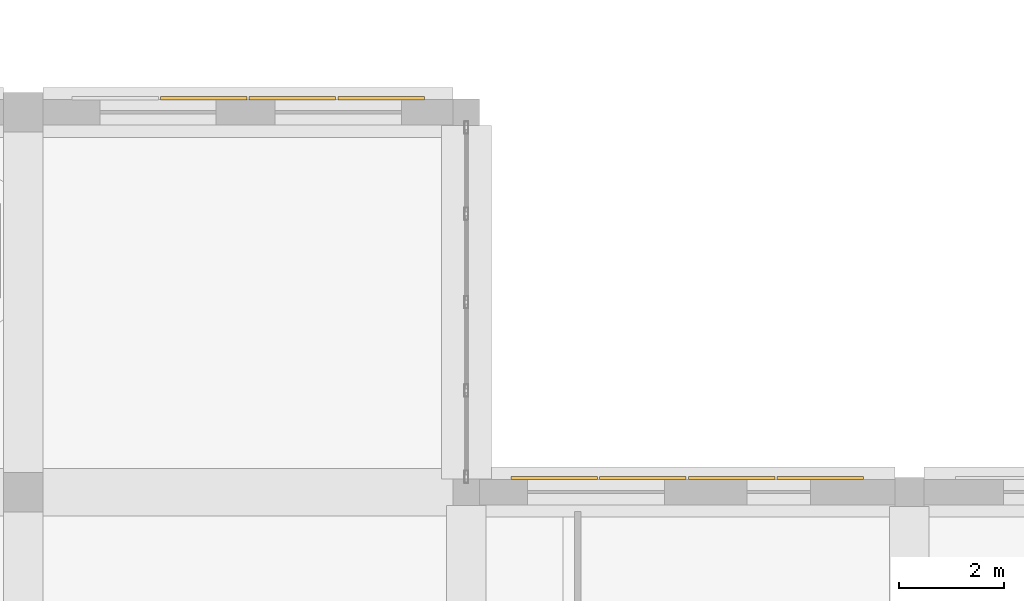
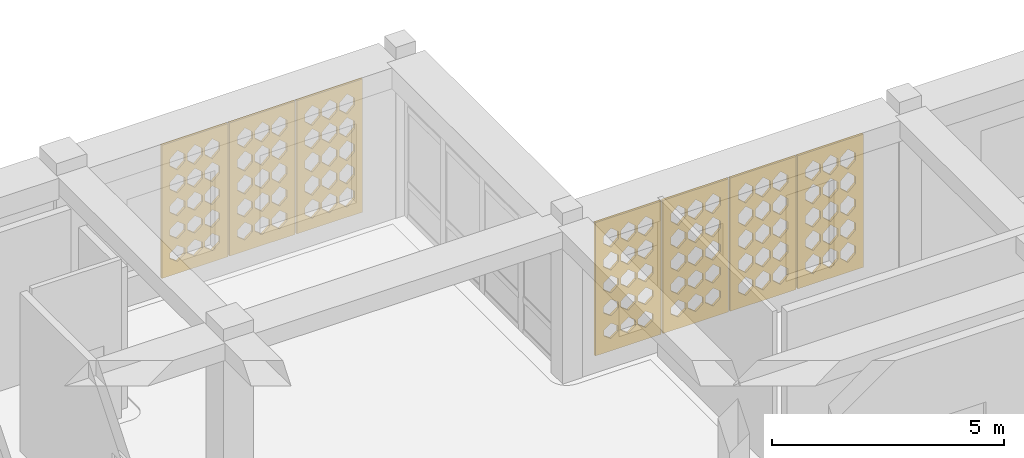
# One storey, part 118 of 121: 7 coverings.
"""IFC4 building model written with IfcOpenShell, lengths in metres."""

from ifc_helpers import new_model, si_unit, derived_unit, direction, frame, origin, place, context, subcontext, project, spatial, polyline, outline, extrude, material, layer, layer_set, type_object, element, save


model = new_model("IFC4")

# Units and contexts
model_context = context("Model", 3, precision=1e-05, world=origin(), true_north=direction((0.0, 1.0)))
body_context = subcontext(model_context, "Body", "Model", "MODEL_VIEW")
ifc_project = project(units=[si_unit("LENGTHUNIT", "METRE"), si_unit("AREAUNIT", "SQUARE_METRE"), si_unit("VOLUMEUNIT", "CUBIC_METRE"), si_unit("PLANEANGLEUNIT", "RADIAN"), si_unit("MASSUNIT", "GRAM", prefix="KILO"), derived_unit("THERMALTRANSMITTANCEUNIT", [(si_unit("POWERUNIT", "WATT"), 1), (si_unit("LENGTHUNIT", "METRE"), -2), (si_unit("THERMODYNAMICTEMPERATUREUNIT", "KELVIN"), -1)])], contexts=[model_context])

# Site, building, storey
site_placement = place(None, origin())
site = spatial("IfcSite", under=ifc_project, at=site_placement, CompositionType="ELEMENT")
building_placement = place(site_placement, origin())
building = spatial("IfcBuilding", under=site, at=building_placement, Name="Veybourne Emporium", CompositionType="ELEMENT")
storey_placement = place(building_placement, frame((0.0, 0.0, 5.39990234375)))
storey = spatial("IfcBuildingStorey", under=building, at=storey_placement, Name="L01", CompositionType="ELEMENT", Elevation=5.39990234375)

# Coverings
ifc_material = material(Name="Warm-White Perforated Aluminium Screen Alloy", Category="aluminium")
ifc_layer_1 = layer(ifc_material, 0.06005859375)
ifc_layer_set_1 = layer_set([ifc_layer_1], Name="Warm-White Perforated Aluminium Screen Alloy")
covering_type_1 = type_object("IfcCoveringType", Name="WaveScreen_SCR-01", PredefinedType="CLADDING", material=ifc_layer_set_1)
covering_1_placement = place(storey_placement, frame((141.1826171875, 29.09814453125, 1.815185546875), z_axis=(0.0, -1.0, 0.0), x_axis=(1.0, 0.0, 0.0)))
element("IfcCovering", 1, at=covering_1_placement, inside=storey, type_object=covering_type_1, Name="L01 wave-perforated aluminium screen SCR-01 (71.4)", PredefinedType="CLADDING", context=body_context, shape_type="SweptSolid", body=[
    extrude(outline(polyline([(-0.81982421875, -1.7548828125), (0.81982421875, -1.7548828125), (0.81982421875, 1.7548828125), (-0.81982421875, 1.7548828125), (-0.81982421875, -1.7548828125)]), holes=[polyline([(-0.433349609375, -0.974853515625), (-0.2470703125, -1.13671875), (-0.2470703125, -1.319091796875), (-0.433349609375, -1.481201171875), (-0.61962890625, -1.319091796875), (-0.61962890625, -1.13671875), (-0.433349609375, -0.974853515625)]), polyline([(-0.433349609375, -0.35205078125), (-0.2470703125, -0.519775390625), (-0.2470703125, -0.708251953125), (-0.433349609375, -0.8759765625), (-0.61962890625, -0.708251953125), (-0.61962890625, -0.519775390625), (-0.433349609375, -0.35205078125)]), polyline([(-0.433349609375, 0.263916015625), (-0.2470703125, 0.094970703125), (-0.2470703125, -0.094970703125), (-0.433349609375, -0.263916015625), (-0.61962890625, -0.094970703125), (-0.61962890625, 0.094970703125), (-0.433349609375, 0.263916015625)]), polyline([(-0.433349609375, 0.8779296875), (-0.2470703125, 0.708984375), (-0.2470703125, 0.51904296875), (-0.433349609375, 0.35009765625), (-0.61962890625, 0.51904296875), (-0.61962890625, 0.708984375), (-0.433349609375, 0.8779296875)]), polyline([(-0.433349609375, 1.491943359375), (-0.2470703125, 1.322998046875), (-0.2470703125, 1.133056640625), (-0.433349609375, 0.964111328125), (-0.61962890625, 1.133056640625), (-0.61962890625, 1.322998046875), (-0.433349609375, 1.491943359375)]), polyline([(0.0, -0.970703125), (0.186279296875, -1.13525390625), (0.186279296875, -1.32080078125), (0.0, -1.4853515625), (-0.186279296875, -1.32080078125), (-0.186279296875, -1.13525390625), (0.0, -0.970703125)]), polyline([(0.0, -0.35009765625), (0.186279296875, -0.51904296875), (0.186279296875, -0.708984375), (0.0, -0.8779296875), (-0.186279296875, -0.708984375), (-0.186279296875, -0.51904296875), (0.0, -0.35009765625)]), polyline([(0.0, 0.263916015625), (0.186279296875, 0.094970703125), (0.186279296875, -0.094970703125), (0.0, -0.263916015625), (-0.186279296875, -0.094970703125), (-0.186279296875, 0.094970703125), (0.0, 0.263916015625)]), polyline([(0.0, 0.8779296875), (0.186279296875, 0.708984375), (0.186279296875, 0.51904296875), (0.0, 0.35009765625), (-0.186279296875, 0.51904296875), (-0.186279296875, 0.708984375), (0.0, 0.8779296875)]), polyline([(0.0, 1.491943359375), (0.186279296875, 1.322998046875), (0.186279296875, 1.133056640625), (0.0, 0.964111328125), (-0.186279296875, 1.133056640625), (-0.186279296875, 1.322998046875), (0.0, 1.491943359375)]), polyline([(0.433349609375, -0.966796875), (0.61962890625, -1.134033203125), (0.61962890625, -1.322021484375), (0.433349609375, -1.4892578125), (0.2470703125, -1.322021484375), (0.2470703125, -1.134033203125), (0.433349609375, -0.966796875)]), polyline([(0.433349609375, -0.35009765625), (0.61962890625, -0.51904296875), (0.61962890625, -0.708984375), (0.433349609375, -0.8779296875), (0.2470703125, -0.708984375), (0.2470703125, -0.51904296875), (0.433349609375, -0.35009765625)]), polyline([(0.433349609375, 0.263916015625), (0.61962890625, 0.094970703125), (0.61962890625, -0.094970703125), (0.433349609375, -0.263916015625), (0.2470703125, -0.094970703125), (0.2470703125, 0.094970703125), (0.433349609375, 0.263916015625)]), polyline([(0.433349609375, 0.8779296875), (0.61962890625, 0.708984375), (0.61962890625, 0.51904296875), (0.433349609375, 0.35009765625), (0.2470703125, 0.51904296875), (0.2470703125, 0.708984375), (0.433349609375, 0.8779296875)]), polyline([(0.433349609375, 1.491943359375), (0.61962890625, 1.322998046875), (0.61962890625, 1.133056640625), (0.433349609375, 0.964111328125), (0.2470703125, 1.133056640625), (0.2470703125, 1.322998046875), (0.433349609375, 1.491943359375)])]), origin(), (0.0, 0.0, 1.0), 0.06005859375),
])
covering_2_placement = place(storey_placement, frame((144.467529296875, 21.89794921875, 1.815185546875), z_axis=(0.0, -1.0, 0.0), x_axis=(1.0, 0.0, 0.0)))
element("IfcCovering", 2, at=covering_2_placement, inside=storey, type_object=covering_type_1, Name="L01 wave-perforated aluminium screen SCR-01 (74.1)", PredefinedType="CLADDING", context=body_context, shape_type="SweptSolid", body=[
    extrude(outline(polyline([(-0.81982421875, -1.7548828125), (0.81982421875, -1.7548828125), (0.81982421875, 1.7548828125), (-0.81982421875, 1.7548828125), (-0.81982421875, -1.7548828125)]), holes=[polyline([(-0.433349609375, -1.025390625), (-0.257568359375, -1.155029296875), (-0.257568359375, -1.30078125), (-0.433349609375, -1.4306640625), (-0.609130859375, -1.30078125), (-0.609130859375, -1.155029296875), (-0.433349609375, -1.025390625)]), polyline([(-0.433349609375, -0.3974609375), (-0.2470703125, -0.5361328125), (-0.2470703125, -0.69189453125), (-0.433349609375, -0.83056640625), (-0.61962890625, -0.69189453125), (-0.61962890625, -0.5361328125), (-0.433349609375, -0.3974609375)]), polyline([(-0.433349609375, 0.2294921875), (-0.2470703125, 0.082763671875), (-0.2470703125, -0.082763671875), (-0.433349609375, -0.2294921875), (-0.61962890625, -0.082763671875), (-0.61962890625, 0.082763671875), (-0.433349609375, 0.2294921875)]), polyline([(-0.433349609375, 0.855712890625), (-0.2470703125, 0.700927734375), (-0.2470703125, 0.527099609375), (-0.433349609375, 0.372314453125), (-0.61962890625, 0.527099609375), (-0.61962890625, 0.700927734375), (-0.433349609375, 0.855712890625)]), polyline([(-0.433349609375, 1.480224609375), (-0.2470703125, 1.31884765625), (-0.2470703125, 1.13720703125), (-0.433349609375, 0.9755859375), (-0.61962890625, 1.13720703125), (-0.61962890625, 1.31884765625), (-0.433349609375, 1.480224609375)]), polyline([(0.0, -1.01904296875), (0.180908203125, -1.15283203125), (0.180908203125, -1.30322265625), (0.0, -1.43701171875), (-0.180908203125, -1.30322265625), (-0.180908203125, -1.15283203125), (0.0, -1.01904296875)]), polyline([(0.0, -0.3916015625), (0.186279296875, -0.533935546875), (0.186279296875, -0.694091796875), (0.0, -0.83642578125), (-0.186279296875, -0.694091796875), (-0.186279296875, -0.533935546875), (0.0, -0.3916015625)]), polyline([(0.0, 0.235107421875), (0.186279296875, 0.084716796875), (0.186279296875, -0.084716796875), (0.0, -0.235107421875), (-0.186279296875, -0.084716796875), (-0.186279296875, 0.084716796875), (0.0, 0.235107421875)]), polyline([(0.0, 0.860595703125), (0.186279296875, 0.702880859375), (0.186279296875, 0.525146484375), (0.0, 0.3671875), (-0.186279296875, 0.525146484375), (-0.186279296875, 0.702880859375), (0.0, 0.860595703125)]), polyline([(0.0, 1.484619140625), (0.186279296875, 1.3203125), (0.186279296875, 1.135498046875), (0.0, 0.971435546875), (-0.186279296875, 1.135498046875), (-0.186279296875, 1.3203125), (0.0, 1.484619140625)]), polyline([(0.433349609375, -1.0126953125), (0.619384765625, -1.150390625), (0.619384765625, -1.305419921875), (0.433349609375, -1.443115234375), (0.247314453125, -1.305419921875), (0.247314453125, -1.150390625), (0.433349609375, -1.0126953125)]), polyline([(0.433349609375, -0.385498046875), (0.61962890625, -0.53173828125), (0.61962890625, -0.6962890625), (0.433349609375, -0.84228515625), (0.2470703125, -0.6962890625), (0.2470703125, -0.53173828125), (0.433349609375, -0.385498046875)]), polyline([(0.433349609375, 0.240478515625), (0.61962890625, 0.086669921875), (0.61962890625, -0.086669921875), (0.433349609375, -0.240478515625), (0.2470703125, -0.086669921875), (0.2470703125, 0.086669921875), (0.433349609375, 0.240478515625)]), polyline([(0.433349609375, 0.865478515625), (0.61962890625, 0.70458984375), (0.61962890625, 0.5234375), (0.433349609375, 0.362548828125), (0.2470703125, 0.5234375), (0.2470703125, 0.70458984375), (0.433349609375, 0.865478515625)]), polyline([(0.433349609375, 1.48828125), (0.61962890625, 1.32177734375), (0.61962890625, 1.13427734375), (0.433349609375, 0.967529296875), (0.2470703125, 1.13427734375), (0.2470703125, 1.32177734375), (0.433349609375, 1.48828125)])]), origin(), (0.0, 0.0, 1.0), 0.06005859375),
])
ifc_layer_2 = layer(ifc_material, 0.06005859375)
ifc_layer_set_2 = layer_set([ifc_layer_2], Name="Warm-White Perforated Aluminium Screen Alloy")
covering_type_2 = type_object("IfcCoveringType", Name="WaveScreen_SCR-02", PredefinedType="CLADDING", material=ifc_layer_set_2)
covering_3_placement = place(storey_placement, frame((146.1474609375, 21.89794921875, 1.815185546875), z_axis=(0.0, -1.0, 0.0), x_axis=(1.0, 0.0, 0.0)))
element("IfcCovering", 3, at=covering_3_placement, inside=storey, type_object=covering_type_2, Name="L01 wave-perforated aluminium screen SCR-02 (74.2)", PredefinedType="CLADDING", context=body_context, shape_type="SweptSolid", body=[
    extrude(outline(polyline([(-0.81982421875, -1.7548828125), (0.81982421875, -1.7548828125), (0.81982421875, 1.7548828125), (-0.81982421875, 1.7548828125), (-0.81982421875, -1.7548828125)]), holes=[polyline([(-0.433349609375, -1.00146484375), (-0.2470703125, -1.146484375), (-0.2470703125, -1.3095703125), (-0.433349609375, -1.45458984375), (-0.61962890625, -1.3095703125), (-0.61962890625, -1.146484375), (-0.433349609375, -1.00146484375)]), polyline([(-0.433349609375, -0.375), (-0.2470703125, -0.528076171875), (-0.2470703125, -0.699951171875), (-0.433349609375, -0.852783203125), (-0.61962890625, -0.699951171875), (-0.61962890625, -0.528076171875), (-0.433349609375, -0.375)]), polyline([(-0.433349609375, 0.25), (-0.2470703125, 0.090087890625), (-0.2470703125, -0.090087890625), (-0.433349609375, -0.25), (-0.61962890625, -0.090087890625), (-0.61962890625, 0.090087890625), (-0.433349609375, 0.25)]), polyline([(-0.433349609375, 0.873291015625), (-0.2470703125, 0.707275390625), (-0.2470703125, 0.520751953125), (-0.433349609375, 0.354736328125), (-0.61962890625, 0.520751953125), (-0.61962890625, 0.707275390625), (-0.433349609375, 0.873291015625)]), polyline([(-0.433349609375, 1.491943359375), (-0.2470703125, 1.322998046875), (-0.2470703125, 1.133056640625), (-0.433349609375, 0.964111328125), (-0.61962890625, 1.133056640625), (-0.61962890625, 1.322998046875), (-0.433349609375, 1.491943359375)]), polyline([(0.0, -0.99560546875), (0.186279296875, -1.144287109375), (0.186279296875, -1.3115234375), (0.0, -1.460205078125), (-0.186279296875, -1.3115234375), (-0.186279296875, -1.144287109375), (0.0, -0.99560546875)]), polyline([(0.0, -0.369873046875), (0.186279296875, -0.526123046875), (0.186279296875, -0.701904296875), (0.0, -0.858154296875), (-0.186279296875, -0.701904296875), (-0.186279296875, -0.526123046875), (0.0, -0.369873046875)]), polyline([(0.0, 0.25439453125), (0.186279296875, 0.091552734375), (0.186279296875, -0.091552734375), (0.0, -0.25439453125), (-0.186279296875, -0.091552734375), (-0.186279296875, 0.091552734375), (0.0, 0.25439453125)]), polyline([(0.0, 0.876708984375), (0.186279296875, 0.70849609375), (0.186279296875, 0.519287109375), (0.0, 0.351318359375), (-0.186279296875, 0.519287109375), (-0.186279296875, 0.70849609375), (0.0, 0.876708984375)]), polyline([(0.0, 1.491943359375), (0.186279296875, 1.322998046875), (0.186279296875, 1.133056640625), (0.0, 0.964111328125), (-0.186279296875, 1.133056640625), (-0.186279296875, 1.322998046875), (0.0, 1.491943359375)]), polyline([(0.433349609375, -0.990234375), (0.61962890625, -1.142333984375), (0.61962890625, -1.313720703125), (0.433349609375, -1.4658203125), (0.2470703125, -1.313720703125), (0.2470703125, -1.142333984375), (0.433349609375, -0.990234375)]), polyline([(0.433349609375, -0.364990234375), (0.61962890625, -0.5244140625), (0.61962890625, -0.70361328125), (0.433349609375, -0.86279296875), (0.2470703125, -0.70361328125), (0.2470703125, -0.5244140625), (0.433349609375, -0.364990234375)]), polyline([(0.433349609375, 0.25830078125), (0.61962890625, 0.093017578125), (0.61962890625, -0.093017578125), (0.433349609375, -0.25830078125), (0.2470703125, -0.093017578125), (0.2470703125, 0.093017578125), (0.433349609375, 0.25830078125)]), polyline([(0.433349609375, 0.8779296875), (0.61962890625, 0.708984375), (0.61962890625, 0.51904296875), (0.433349609375, 0.35009765625), (0.2470703125, 0.51904296875), (0.2470703125, 0.708984375), (0.433349609375, 0.8779296875)]), polyline([(0.433349609375, 1.491943359375), (0.61962890625, 1.322998046875), (0.61962890625, 1.133056640625), (0.433349609375, 0.964111328125), (0.2470703125, 1.133056640625), (0.2470703125, 1.322998046875), (0.433349609375, 1.491943359375)])]), origin(), (0.0, 0.0, 1.0), 0.06005859375),
])
ifc_layer_3 = layer(ifc_material, 0.06005859375)
ifc_layer_set_3 = layer_set([ifc_layer_3], Name="Warm-White Perforated Aluminium Screen Alloy")
covering_type_3 = type_object("IfcCoveringType", Name="WaveScreen_SCR-03", PredefinedType="CLADDING", material=ifc_layer_set_3)
covering_4_placement = place(storey_placement, frame((137.822509765625, 29.09814453125, 1.815185546875), z_axis=(0.0, -1.0, 0.0), x_axis=(1.0, 0.0, 0.0)))
element("IfcCovering", 4, at=covering_4_placement, inside=storey, type_object=covering_type_3, Name="L01 wave-perforated aluminium screen SCR-03 (71.2)", PredefinedType="CLADDING", context=body_context, shape_type="SweptSolid", body=[
    extrude(outline(polyline([(-0.81982421875, -1.7548828125), (0.81982421875, -1.7548828125), (0.81982421875, 1.7548828125), (-0.81982421875, 1.7548828125), (-0.81982421875, -1.7548828125)]), holes=[polyline([(-0.433349609375, -1.017333984375), (-0.2509765625, -1.152099609375), (-0.2509765625, -1.303955078125), (-0.433349609375, -1.438720703125), (-0.61572265625, -1.303955078125), (-0.61572265625, -1.152099609375), (-0.433349609375, -1.017333984375)]), polyline([(-0.433349609375, -0.389892578125), (-0.2470703125, -0.533203125), (-0.2470703125, -0.694580078125), (-0.433349609375, -0.838134765625), (-0.61962890625, -0.694580078125), (-0.61962890625, -0.533203125), (-0.433349609375, -0.389892578125)]), polyline([(-0.433349609375, 0.23681640625), (-0.2470703125, 0.085205078125), (-0.2470703125, -0.085205078125), (-0.433349609375, -0.23681640625), (-0.61962890625, -0.085205078125), (-0.61962890625, 0.085205078125), (-0.433349609375, 0.23681640625)]), polyline([(-0.433349609375, 0.862060546875), (-0.2470703125, 0.703369140625), (-0.2470703125, 0.524658203125), (-0.433349609375, 0.365966796875), (-0.61962890625, 0.524658203125), (-0.61962890625, 0.703369140625), (-0.433349609375, 0.862060546875)]), polyline([(-0.433349609375, 1.485595703125), (-0.2470703125, 1.32080078125), (-0.2470703125, 1.13525390625), (-0.433349609375, 0.97021484375), (-0.61962890625, 1.13525390625), (-0.61962890625, 1.32080078125), (-0.433349609375, 1.485595703125)]), polyline([(0.0, -1.010986328125), (0.186279296875, -1.14990234375), (0.186279296875, -1.30615234375), (0.0, -1.44482421875), (-0.186279296875, -1.30615234375), (-0.186279296875, -1.14990234375), (0.0, -1.010986328125)]), polyline([(0.0, -0.3837890625), (0.186279296875, -0.53125), (0.186279296875, -0.69677734375), (0.0, -0.843994140625), (-0.186279296875, -0.69677734375), (-0.186279296875, -0.53125), (0.0, -0.3837890625)]), polyline([(0.0, 0.2421875), (0.186279296875, 0.087158203125), (0.186279296875, -0.087158203125), (0.0, -0.2421875), (-0.186279296875, -0.087158203125), (-0.186279296875, 0.087158203125), (0.0, 0.2421875)]), polyline([(0.0, 0.86669921875), (0.186279296875, 0.704833984375), (0.186279296875, 0.523193359375), (0.0, 0.361328125), (-0.186279296875, 0.523193359375), (-0.186279296875, 0.704833984375), (0.0, 0.86669921875)]), polyline([(0.0, 1.489501953125), (0.186279296875, 1.322021484375), (0.186279296875, 1.1337890625), (0.0, 0.966552734375), (-0.186279296875, 1.1337890625), (-0.186279296875, 1.322021484375), (0.0, 1.489501953125)]), polyline([(0.433349609375, -1.0048828125), (0.61962890625, -1.147705078125), (0.61962890625, -1.308349609375), (0.433349609375, -1.450927734375), (0.2470703125, -1.308349609375), (0.2470703125, -1.147705078125), (0.433349609375, -1.0048828125)]), polyline([(0.433349609375, -0.37841796875), (0.61962890625, -0.529296875), (0.61962890625, -0.69873046875), (0.433349609375, -0.849609375), (0.2470703125, -0.69873046875), (0.2470703125, -0.529296875), (0.433349609375, -0.37841796875)]), polyline([(0.433349609375, 0.2470703125), (0.61962890625, 0.0888671875), (0.61962890625, -0.0888671875), (0.433349609375, -0.2470703125), (0.2470703125, -0.0888671875), (0.2470703125, 0.0888671875), (0.433349609375, 0.2470703125)]), polyline([(0.433349609375, 0.870849609375), (0.61962890625, 0.70654296875), (0.61962890625, 0.521484375), (0.433349609375, 0.357177734375), (0.2470703125, 0.521484375), (0.2470703125, 0.70654296875), (0.433349609375, 0.870849609375)]), polyline([(0.433349609375, 1.491943359375), (0.61962890625, 1.322998046875), (0.61962890625, 1.133056640625), (0.433349609375, 0.964111328125), (0.2470703125, 1.133056640625), (0.2470703125, 1.322998046875), (0.433349609375, 1.491943359375)])]), origin(), (0.0, 0.0, 1.0), 0.06005859375),
])
covering_5_placement = place(storey_placement, frame((147.827392578125, 21.89794921875, 1.815185546875), z_axis=(0.0, -1.0, 0.0), x_axis=(1.0, 0.0, 0.0)))
element("IfcCovering", 5, at=covering_5_placement, inside=storey, type_object=covering_type_3, Name="L01 wave-perforated aluminium screen SCR-03 (74.3)", PredefinedType="CLADDING", context=body_context, shape_type="SweptSolid", body=[
    extrude(outline(polyline([(-0.81982421875, -1.7548828125), (0.81982421875, -1.7548828125), (0.81982421875, 1.7548828125), (-0.81982421875, 1.7548828125), (-0.81982421875, -1.7548828125)]), holes=[polyline([(-0.433349609375, -0.980712890625), (-0.2470703125, -1.138916015625), (-0.2470703125, -1.317138671875), (-0.433349609375, -1.475341796875), (-0.61962890625, -1.317138671875), (-0.61962890625, -1.138916015625), (-0.433349609375, -0.980712890625)]), polyline([(-0.433349609375, -0.35693359375), (-0.2470703125, -0.521484375), (-0.2470703125, -0.70654296875), (-0.433349609375, -0.87109375), (-0.61962890625, -0.70654296875), (-0.61962890625, -0.521484375), (-0.433349609375, -0.35693359375)]), polyline([(-0.433349609375, 0.263916015625), (-0.2470703125, 0.094970703125), (-0.2470703125, -0.094970703125), (-0.433349609375, -0.263916015625), (-0.61962890625, -0.094970703125), (-0.61962890625, 0.094970703125), (-0.433349609375, 0.263916015625)]), polyline([(-0.433349609375, 0.8779296875), (-0.2470703125, 0.708984375), (-0.2470703125, 0.51904296875), (-0.433349609375, 0.35009765625), (-0.61962890625, 0.51904296875), (-0.61962890625, 0.708984375), (-0.433349609375, 0.8779296875)]), polyline([(-0.433349609375, 1.491943359375), (-0.2470703125, 1.322998046875), (-0.2470703125, 1.133056640625), (-0.433349609375, 0.964111328125), (-0.61962890625, 1.133056640625), (-0.61962890625, 1.322998046875), (-0.433349609375, 1.491943359375)]), polyline([(0.0, -0.97607421875), (0.186279296875, -1.13720703125), (0.186279296875, -1.318603515625), (0.0, -1.47998046875), (-0.186279296875, -1.318603515625), (-0.186279296875, -1.13720703125), (0.0, -0.97607421875)]), polyline([(0.0, -0.35302734375), (0.186279296875, -0.52001953125), (0.186279296875, -0.7080078125), (0.0, -0.875), (-0.186279296875, -0.7080078125), (-0.186279296875, -0.52001953125), (0.0, -0.35302734375)]), polyline([(0.0, 0.263916015625), (0.186279296875, 0.094970703125), (0.186279296875, -0.094970703125), (0.0, -0.263916015625), (-0.186279296875, -0.094970703125), (-0.186279296875, 0.094970703125), (0.0, 0.263916015625)]), polyline([(0.0, 0.8779296875), (0.186279296875, 0.708984375), (0.186279296875, 0.51904296875), (0.0, 0.35009765625), (-0.186279296875, 0.51904296875), (-0.186279296875, 0.708984375), (0.0, 0.8779296875)]), polyline([(0.0, 1.491943359375), (0.186279296875, 1.322998046875), (0.186279296875, 1.133056640625), (0.0, 0.964111328125), (-0.186279296875, 1.133056640625), (-0.186279296875, 1.322998046875), (0.0, 1.491943359375)]), polyline([(0.433349609375, -0.9716796875), (0.61962890625, -1.1357421875), (0.61962890625, -1.3203125), (0.433349609375, -1.484375), (0.2470703125, -1.3203125), (0.2470703125, -1.1357421875), (0.433349609375, -0.9716796875)]), polyline([(0.433349609375, -0.35009765625), (0.61962890625, -0.51904296875), (0.61962890625, -0.708984375), (0.433349609375, -0.8779296875), (0.2470703125, -0.708984375), (0.2470703125, -0.51904296875), (0.433349609375, -0.35009765625)]), polyline([(0.433349609375, 0.263916015625), (0.61962890625, 0.094970703125), (0.61962890625, -0.094970703125), (0.433349609375, -0.263916015625), (0.2470703125, -0.094970703125), (0.2470703125, 0.094970703125), (0.433349609375, 0.263916015625)]), polyline([(0.433349609375, 0.8779296875), (0.61962890625, 0.708984375), (0.61962890625, 0.51904296875), (0.433349609375, 0.35009765625), (0.2470703125, 0.51904296875), (0.2470703125, 0.708984375), (0.433349609375, 0.8779296875)]), polyline([(0.433349609375, 1.491943359375), (0.61962890625, 1.322998046875), (0.61962890625, 1.133056640625), (0.433349609375, 0.964111328125), (0.2470703125, 1.133056640625), (0.2470703125, 1.322998046875), (0.433349609375, 1.491943359375)])]), origin(), (0.0, 0.0, 1.0), 0.06005859375),
])
ifc_layer_4 = layer(ifc_material, 0.06005859375)
ifc_layer_set_4 = layer_set([ifc_layer_4], Name="Warm-White Perforated Aluminium Screen Alloy")
covering_type_4 = type_object("IfcCoveringType", Name="WaveScreen_SCR-04", PredefinedType="CLADDING", material=ifc_layer_set_4)
covering_6_placement = place(storey_placement, frame((139.50244140625, 29.09814453125, 1.815185546875), z_axis=(0.0, -1.0, 0.0), x_axis=(1.0, 0.0, 0.0)))
element("IfcCovering", 6, at=covering_6_placement, inside=storey, type_object=covering_type_4, Name="L01 wave-perforated aluminium screen SCR-04 (71.3)", PredefinedType="CLADDING", context=body_context, shape_type="SweptSolid", body=[
    extrude(outline(polyline([(-0.81982421875, -1.7548828125), (0.81982421875, -1.7548828125), (0.81982421875, 1.7548828125), (-0.81982421875, 1.7548828125), (-0.81982421875, -1.7548828125)]), holes=[polyline([(-0.433349609375, -0.994140625), (-0.2470703125, -1.143798828125), (-0.2470703125, -1.312255859375), (-0.433349609375, -1.4619140625), (-0.61962890625, -1.312255859375), (-0.61962890625, -1.143798828125), (-0.433349609375, -0.994140625)]), polyline([(-0.433349609375, -0.368408203125), (-0.2470703125, -0.525634765625), (-0.2470703125, -0.702392578125), (-0.433349609375, -0.859619140625), (-0.61962890625, -0.702392578125), (-0.61962890625, -0.525634765625), (-0.433349609375, -0.368408203125)]), polyline([(-0.433349609375, 0.255615234375), (-0.2470703125, 0.092041015625), (-0.2470703125, -0.092041015625), (-0.433349609375, -0.255615234375), (-0.61962890625, -0.092041015625), (-0.61962890625, 0.092041015625), (-0.433349609375, 0.255615234375)]), polyline([(-0.433349609375, 0.877685546875), (-0.2470703125, 0.708984375), (-0.2470703125, 0.51904296875), (-0.433349609375, 0.350341796875), (-0.61962890625, 0.51904296875), (-0.61962890625, 0.708984375), (-0.433349609375, 0.877685546875)]), polyline([(-0.433349609375, 1.491943359375), (-0.2470703125, 1.322998046875), (-0.2470703125, 1.133056640625), (-0.433349609375, 0.964111328125), (-0.61962890625, 1.133056640625), (-0.61962890625, 1.322998046875), (-0.433349609375, 1.491943359375)]), polyline([(0.0, -0.98876953125), (0.186279296875, -1.141845703125), (0.186279296875, -1.314208984375), (0.0, -1.46728515625), (-0.186279296875, -1.314208984375), (-0.186279296875, -1.141845703125), (0.0, -0.98876953125)]), polyline([(0.0, -0.36376953125), (0.186279296875, -0.52392578125), (0.186279296875, -0.7041015625), (0.0, -0.8642578125), (-0.186279296875, -0.7041015625), (-0.186279296875, -0.52392578125), (0.0, -0.36376953125)]), polyline([(0.0, 0.259521484375), (0.186279296875, 0.093505859375), (0.186279296875, -0.093505859375), (0.0, -0.259521484375), (-0.186279296875, -0.093505859375), (-0.186279296875, 0.093505859375), (0.0, 0.259521484375)]), polyline([(0.0, 0.8779296875), (0.186279296875, 0.708984375), (0.186279296875, 0.51904296875), (0.0, 0.35009765625), (-0.186279296875, 0.51904296875), (-0.186279296875, 0.708984375), (0.0, 0.8779296875)]), polyline([(0.0, 1.491943359375), (0.186279296875, 1.322998046875), (0.186279296875, 1.133056640625), (0.0, 0.964111328125), (-0.186279296875, 1.133056640625), (-0.186279296875, 1.322998046875), (0.0, 1.491943359375)]), polyline([(0.433349609375, -0.983642578125), (0.61962890625, -1.139892578125), (0.61962890625, -1.31591796875), (0.433349609375, -1.472412109375), (0.2470703125, -1.31591796875), (0.2470703125, -1.139892578125), (0.433349609375, -0.983642578125)]), polyline([(0.433349609375, -0.359375), (0.61962890625, -0.522216796875), (0.61962890625, -0.705810546875), (0.433349609375, -0.86865234375), (0.2470703125, -0.705810546875), (0.2470703125, -0.522216796875), (0.433349609375, -0.359375)]), polyline([(0.433349609375, 0.262939453125), (0.61962890625, 0.0947265625), (0.61962890625, -0.0947265625), (0.433349609375, -0.262939453125), (0.2470703125, -0.0947265625), (0.2470703125, 0.0947265625), (0.433349609375, 0.262939453125)]), polyline([(0.433349609375, 0.8779296875), (0.61962890625, 0.708984375), (0.61962890625, 0.51904296875), (0.433349609375, 0.35009765625), (0.2470703125, 0.51904296875), (0.2470703125, 0.708984375), (0.433349609375, 0.8779296875)]), polyline([(0.433349609375, 1.491943359375), (0.61962890625, 1.322998046875), (0.61962890625, 1.133056640625), (0.433349609375, 0.964111328125), (0.2470703125, 1.133056640625), (0.2470703125, 1.322998046875), (0.433349609375, 1.491943359375)])]), origin(), (0.0, 0.0, 1.0), 0.06005859375),
])
covering_7_placement = place(storey_placement, frame((149.507568359375, 21.89794921875, 1.815185546875), z_axis=(0.0, -1.0, 0.0), x_axis=(1.0, 0.0, 0.0)))
element("IfcCovering", 7, at=covering_7_placement, inside=storey, type_object=covering_type_4, Name="L01 wave-perforated aluminium screen SCR-04 (74.4)", PredefinedType="CLADDING", context=body_context, shape_type="SweptSolid", body=[
    extrude(outline(polyline([(-0.81982421875, -1.7548828125), (0.81982421875, -1.7548828125), (0.81982421875, 1.7548828125), (-0.81982421875, 1.7548828125), (-0.81982421875, -1.7548828125)]), holes=[polyline([(-0.433349609375, -0.96484375), (-0.2470703125, -1.13330078125), (-0.2470703125, -1.32275390625), (-0.433349609375, -1.4912109375), (-0.61962890625, -1.32275390625), (-0.61962890625, -1.13330078125), (-0.433349609375, -0.96484375)]), polyline([(-0.433349609375, -0.35009765625), (-0.2470703125, -0.51904296875), (-0.2470703125, -0.708984375), (-0.433349609375, -0.8779296875), (-0.61962890625, -0.708984375), (-0.61962890625, -0.51904296875), (-0.433349609375, -0.35009765625)]), polyline([(-0.433349609375, 0.263916015625), (-0.2470703125, 0.094970703125), (-0.2470703125, -0.094970703125), (-0.433349609375, -0.263916015625), (-0.61962890625, -0.094970703125), (-0.61962890625, 0.094970703125), (-0.433349609375, 0.263916015625)]), polyline([(-0.433349609375, 0.8779296875), (-0.2470703125, 0.708984375), (-0.2470703125, 0.51904296875), (-0.433349609375, 0.35009765625), (-0.61962890625, 0.51904296875), (-0.61962890625, 0.708984375), (-0.433349609375, 0.8779296875)]), polyline([(-0.433349609375, 1.491943359375), (-0.2470703125, 1.322998046875), (-0.2470703125, 1.133056640625), (-0.433349609375, 0.964111328125), (-0.61962890625, 1.133056640625), (-0.61962890625, 1.322998046875), (-0.433349609375, 1.491943359375)]), polyline([(0.0, -0.964111328125), (0.186279296875, -1.133056640625), (0.186279296875, -1.322998046875), (0.0, -1.491943359375), (-0.186279296875, -1.322998046875), (-0.186279296875, -1.133056640625), (0.0, -0.964111328125)]), polyline([(0.0, -0.35009765625), (0.186279296875, -0.51904296875), (0.186279296875, -0.708984375), (0.0, -0.8779296875), (-0.186279296875, -0.708984375), (-0.186279296875, -0.51904296875), (0.0, -0.35009765625)]), polyline([(0.0, 0.263916015625), (0.186279296875, 0.094970703125), (0.186279296875, -0.094970703125), (0.0, -0.263916015625), (-0.186279296875, -0.094970703125), (-0.186279296875, 0.094970703125), (0.0, 0.263916015625)]), polyline([(0.0, 0.8779296875), (0.186279296875, 0.708984375), (0.186279296875, 0.51904296875), (0.0, 0.35009765625), (-0.186279296875, 0.51904296875), (-0.186279296875, 0.708984375), (0.0, 0.8779296875)]), polyline([(0.0, 1.491943359375), (0.186279296875, 1.322998046875), (0.186279296875, 1.133056640625), (0.0, 0.964111328125), (-0.186279296875, 1.133056640625), (-0.186279296875, 1.322998046875), (0.0, 1.491943359375)]), polyline([(0.433349609375, -0.964111328125), (0.61962890625, -1.133056640625), (0.61962890625, -1.322998046875), (0.433349609375, -1.491943359375), (0.2470703125, -1.322998046875), (0.2470703125, -1.133056640625), (0.433349609375, -0.964111328125)]), polyline([(0.433349609375, -0.35009765625), (0.61962890625, -0.51904296875), (0.61962890625, -0.708984375), (0.433349609375, -0.8779296875), (0.2470703125, -0.708984375), (0.2470703125, -0.51904296875), (0.433349609375, -0.35009765625)]), polyline([(0.433349609375, 0.263916015625), (0.61962890625, 0.094970703125), (0.61962890625, -0.094970703125), (0.433349609375, -0.263916015625), (0.2470703125, -0.094970703125), (0.2470703125, 0.094970703125), (0.433349609375, 0.263916015625)]), polyline([(0.433349609375, 0.8779296875), (0.61962890625, 0.708984375), (0.61962890625, 0.51904296875), (0.433349609375, 0.35009765625), (0.2470703125, 0.51904296875), (0.2470703125, 0.708984375), (0.433349609375, 0.8779296875)]), polyline([(0.433349609375, 1.491943359375), (0.61962890625, 1.322998046875), (0.61962890625, 1.133056640625), (0.433349609375, 0.964111328125), (0.2470703125, 1.133056640625), (0.2470703125, 1.322998046875), (0.433349609375, 1.491943359375)])]), origin(), (0.0, 0.0, 1.0), 0.06005859375),
])

save(model, "model.ifc")
